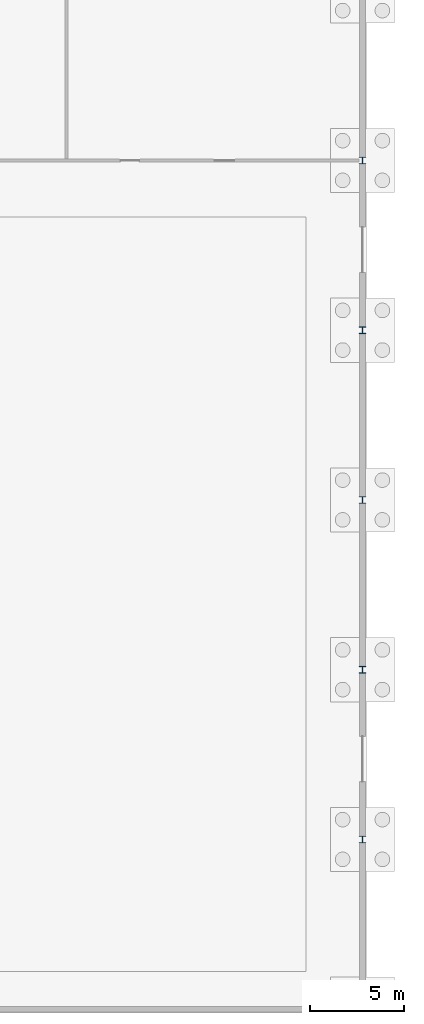
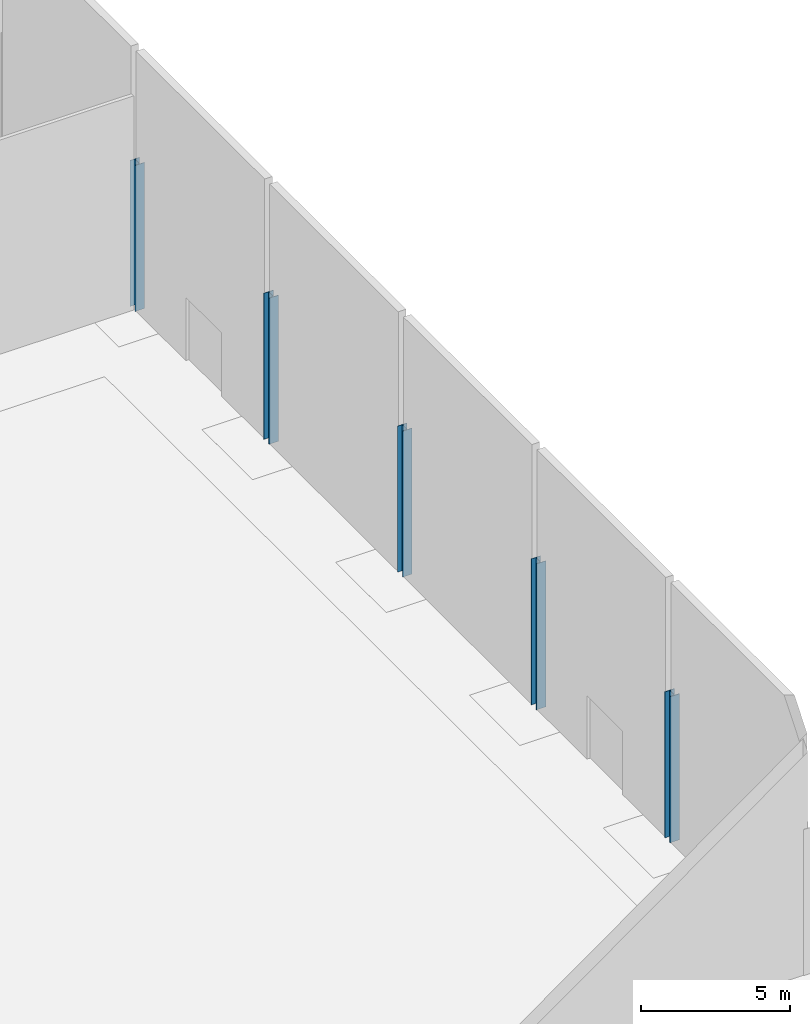
# One storey, part 35 of 131: 5 columns.
"""IFC4 building model written with IfcOpenShell, lengths in metres."""

from ifc_helpers import new_model, si_unit, direction, frame, origin, origin_2d, place, context, subcontext, project, spatial, i_section, extrude, material, material_profile, profile_set, type_object, element, save


model = new_model("IFC4")

# Units and contexts
model_context = context("Model", 3, precision=1e-05, world=origin(), true_north=direction((0.0, 1.0)))
body_context = subcontext(model_context, "Body", "Model", "MODEL_VIEW")
ifc_project = project(units=[si_unit("LENGTHUNIT", "METRE"), si_unit("AREAUNIT", "SQUARE_METRE"), si_unit("VOLUMEUNIT", "CUBIC_METRE"), si_unit("PLANEANGLEUNIT", "RADIAN"), si_unit("MASSUNIT", "GRAM", prefix="KILO")], contexts=[model_context])

# Site, building, storey
site_placement = place(None, origin())
site = spatial("IfcSite", under=ifc_project, at=site_placement, CompositionType="ELEMENT")
building_placement = place(site_placement, origin())
building = spatial("IfcBuilding", under=site, at=building_placement, Name="Cazmaro Siding Exhibition Halls", CompositionType="ELEMENT")
storey_placement = place(building_placement, origin())
storey = spatial("IfcBuildingStorey", under=building, at=storey_placement, Name="L00", CompositionType="ELEMENT", Elevation=0.0)

# Columns
ifc_material = material(Name="Steel ASTM A992 Grade 50", Category="steel")
ifc_material_profile = material_profile(ifc_material, i_section(OverallWidth=0.367919921875, OverallDepth=0.35595703125, WebThickness=0.010986328125, FlangeThickness=0.01806640625, at=origin_2d()), Name="W14X90")
ifc_profile_set = profile_set([ifc_material_profile], Name="Steel ASTM A992 Grade 50")
column_type = type_object("IfcColumnType", Name="C-05", PredefinedType="COLUMN", material=ifc_profile_set)
for number, where, z_axis, x_axis, name in (
    (1, (216.0, 73.0, 0.0), (0.0, 0.0, 1.0), (1.0, 0.0, 0.0), "Column C-05 COL-0693"),
    (2, (216.0, 82.0, 0.0), (0.0, 0.0, 1.0), (1.0, 0.0, 0.0), "Column C-05 COL-0695"),
    (3, (216.0, 91.0, 0.0), (0.0, 0.0, 1.0), (1.0, 0.0, 0.0), "Column C-05 COL-0697"),
    (4, (216.0, 100.0, 0.0), (0.0, 0.0, 1.0), (1.0, 0.0, 0.0), "Column C-05 COL-0699"),
    (5, (216.0, 109.0, 0.0), (0.0, 0.0, 1.0), (1.0, 0.0, 0.0), "Column C-05 COL-0701"),
):
    element("IfcColumn", number, at=place(storey_placement, frame(where, z_axis=z_axis, x_axis=x_axis)), inside=storey, type_object=column_type, Name=name, PredefinedType="COLUMN", context=body_context, shape_type="SweptSolid", body=[
        extrude(i_section(OverallWidth=0.367919921875, OverallDepth=0.35595703125, WebThickness=0.010986328125, FlangeThickness=0.01806640625, at=origin_2d()), origin(), (0.0, 0.0, 1.0), 6.0),
    ])

save(model, "model.ifc")
